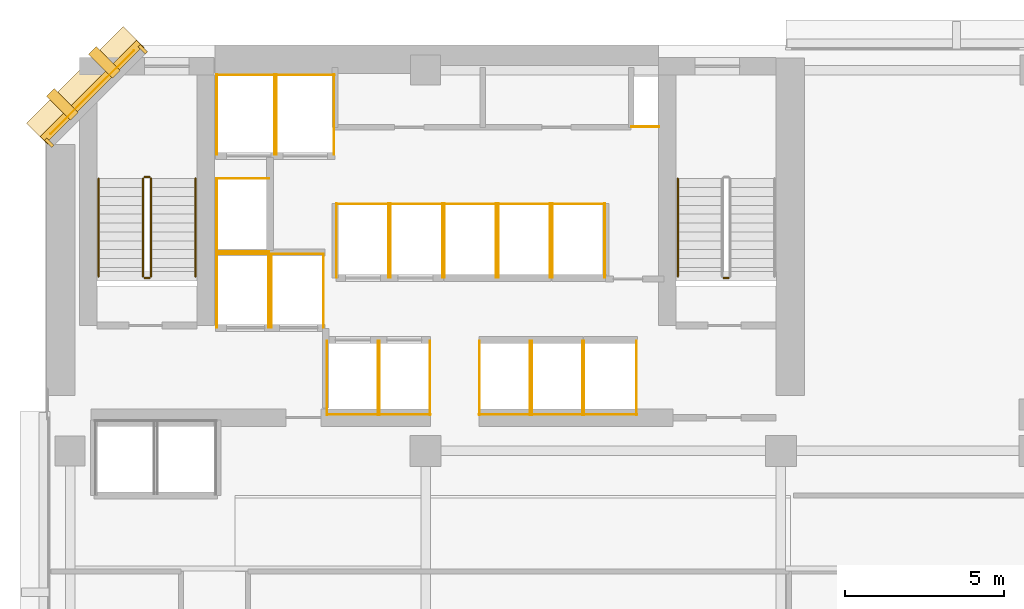
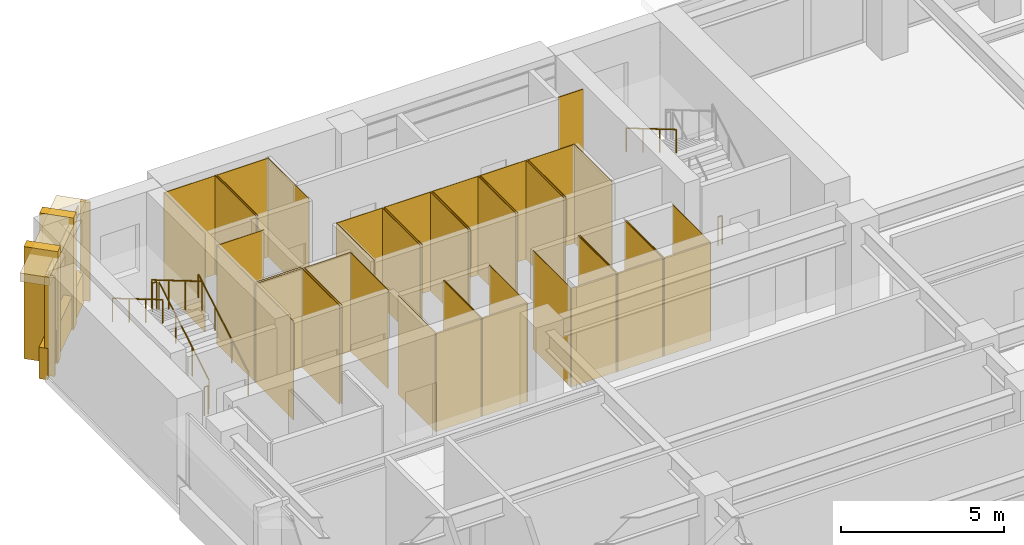
# One storey, part 11 of 13: 53 coverings, 8 railings.
"""IFC4 building model written with IfcOpenShell, lengths in metres."""

from ifc_helpers import new_model, si_unit, direction, frame, origin, origin_2d, place, context, subcontext, project, spatial, polyline, rectangle, circle, outline, extrude, material, layer, layer_set, type_object, element, save


model = new_model("IFC4")

# Units and contexts
model_context = context("Model", 3, precision=1e-05, world=origin(), true_north=direction((0.0, 1.0)))
body_context = subcontext(model_context, "Body", "Model", "MODEL_VIEW")
ifc_project = project(units=[si_unit("LENGTHUNIT", "METRE"), si_unit("AREAUNIT", "SQUARE_METRE"), si_unit("VOLUMEUNIT", "CUBIC_METRE"), si_unit("PLANEANGLEUNIT", "RADIAN"), si_unit("MASSUNIT", "GRAM", prefix="KILO")], contexts=[model_context])

# Site, building, storey
site_placement = place(None, origin())
site = spatial("IfcSite", under=ifc_project, at=site_placement, CompositionType="ELEMENT")
building_placement = place(site_placement, origin())
building = spatial("IfcBuilding", under=site, at=building_placement, Name="Kefirva Bronze Tower", CompositionType="ELEMENT")
storey_placement = place(building_placement, frame((0.0, 0.0, 77.8798828125)))
storey = spatial("IfcBuildingStorey", under=building, at=storey_placement, Name="L18", CompositionType="ELEMENT", Elevation=77.8798828125)

# Coverings
ifc_material_1 = material(Name="Bronze anodised aluminium", Category="aluminium")
ifc_layer_1 = layer(ifc_material_1, 0.02001953125, Name="Bronze anodised aluminium")
ifc_layer_set_1 = layer_set([ifc_layer_1], Name="Bronze anodised aluminium")
covering_type_1 = type_object("IfcCoveringType", Name="Anodised Bronze Spandrel Cladding 20mm", PredefinedType="CLADDING", material=ifc_layer_set_1)
covering_1_placement = place(storey_placement, frame((1.492919921875, 44.507080078125, 3.290283203125), z_axis=(0.0, 0.0, 1.0), x_axis=(-0.707106781187, -0.707106781187, 0.0)))
element("IfcCovering", 1, at=covering_1_placement, inside=storey, type_object=covering_type_1, Name="L18 Bronze Spandrel Cladding 9", PredefinedType="CLADDING", context=body_context, shape_type="SweptSolid", body=[
    extrude(rectangle(XDim=3.719482421875, YDim=0.02001953125, at=origin_2d()), origin(), (0.0, 0.0, 1.0), 0.39990234375),
])
for number, where, z_axis, x_axis, name in (
    (2, (3.08837890625, 45.862060546875, 0.000244140625), (0.0, 0.0, 1.0), (-0.707106781187, -0.707106781187, 0.0), "L18 Facade Joint Closure Panel 9S"),
    (3, (0.137939453125, 42.91162109375, 0.000244140625), (0.0, 0.0, 1.0), (-0.707106781187, -0.707106781187, 0.0), "L18 Facade Joint Closure Panel 9E"),
):
    element("IfcCovering", number, at=place(storey_placement, frame(where, z_axis=z_axis, x_axis=x_axis)), inside=storey, type_object=covering_type_1, Name=name, PredefinedType="CLADDING", context=body_context, shape_type="SweptSolid", body=[
        extrude(rectangle(XDim=0.10009765625, YDim=0.320068359375, at=origin_2d()), origin(), (0.0, 0.0, 1.0), 3.7099609375),
    ])
covering_2_placement = place(storey_placement, frame((1.4716796875, 44.5283203125, -0.15966796875), z_axis=(0.0, 0.0, 1.0), x_axis=(-0.707106781187, -0.707106781187, 0.0)))
element("IfcCovering", 4, at=covering_2_placement, inside=storey, type_object=covering_type_1, Name="L18 Streamline Horizontal Spandrel Band 13", PredefinedType="CLADDING", context=body_context, shape_type="SweptSolid", body=[
    extrude(rectangle(XDim=4.28271484375, YDim=0.280029296875, at=origin_2d()), origin(), (0.0, 0.0, 1.0), 1.179931640625),
])
covering_3_placement = place(storey_placement, origin())
element("IfcCovering", 5, at=covering_3_placement, inside=storey, type_object=covering_type_1, Name="L18 Lift FF1 Hoistway Liner N", PredefinedType="CLADDING", context=body_context, shape_type="SweptSolid", body=[
    extrude(outline(polyline([(5.39990234375, 39.389892578125), (7.080078125, 39.389892578125), (7.080078125, 39.409912109375), (5.39990234375, 39.409912109375), (5.39990234375, 39.389892578125)])), origin(), (0.0, 0.0, 1.0), 3.710205078125),
])
covering_4_placement = place(storey_placement, origin())
element("IfcCovering", 6, at=covering_4_placement, inside=storey, type_object=covering_type_1, Name="L18 Lift FF1 Hoistway Liner W", PredefinedType="CLADDING", context=body_context, shape_type="SweptSolid", body=[
    extrude(outline(polyline([(5.409912109375, 37.080078125), (5.429931640625, 37.080078125), (5.429931640625, 39.419921875), (5.409912109375, 39.419921875), (5.409912109375, 37.080078125)])), origin(), (0.0, 0.0, 1.0), 3.710205078125),
])
covering_5_placement = place(storey_placement, origin())
element("IfcCovering", 7, at=covering_5_placement, inside=storey, type_object=covering_type_1, Name="L18 Lift FF1 Hoistway Liner E", PredefinedType="CLADDING", context=body_context, shape_type="SweptSolid", body=[
    extrude(outline(polyline([(7.050048828125, 37.080078125), (7.070068359375, 37.080078125), (7.070068359375, 39.419921875), (7.050048828125, 39.419921875), (7.050048828125, 37.080078125)])), origin(), (0.0, 0.0, 1.0), 3.710205078125),
])
covering_6_placement = place(storey_placement, origin())
element("IfcCovering", 8, at=covering_6_placement, inside=storey, type_object=covering_type_1, Name="L18 Lift FF2 Hoistway Liner N", PredefinedType="CLADDING", context=body_context, shape_type="SweptSolid", body=[
    extrude(outline(polyline([(7.1201171875, 39.389892578125), (8.800048828125, 39.389892578125), (8.800048828125, 39.409912109375), (7.1201171875, 39.409912109375), (7.1201171875, 39.389892578125)])), origin(), (0.0, 0.0, 1.0), 3.710205078125),
])
covering_7_placement = place(storey_placement, origin())
element("IfcCovering", 9, at=covering_7_placement, inside=storey, type_object=covering_type_1, Name="L18 Lift FF2 Hoistway Liner W", PredefinedType="CLADDING", context=body_context, shape_type="SweptSolid", body=[
    extrude(outline(polyline([(7.1298828125, 37.080078125), (7.14990234375, 37.080078125), (7.14990234375, 39.419921875), (7.1298828125, 39.419921875), (7.1298828125, 37.080078125)])), origin(), (0.0, 0.0, 1.0), 3.710205078125),
])
covering_8_placement = place(storey_placement, origin())
element("IfcCovering", 10, at=covering_8_placement, inside=storey, type_object=covering_type_1, Name="L18 Lift FF2 Hoistway Liner E", PredefinedType="CLADDING", context=body_context, shape_type="SweptSolid", body=[
    extrude(outline(polyline([(8.77001953125, 37.080078125), (8.7900390625, 37.080078125), (8.7900390625, 39.419921875), (8.77001953125, 39.419921875), (8.77001953125, 37.080078125)])), origin(), (0.0, 0.0, 1.0), 3.710205078125),
])
covering_9_placement = place(storey_placement, origin())
element("IfcCovering", 11, at=covering_9_placement, inside=storey, type_object=covering_type_1, Name="L18 Lift SV1 Hoistway Liner N", PredefinedType="CLADDING", context=body_context, shape_type="SweptSolid", body=[
    extrude(outline(polyline([(5.39990234375, 45.0400390625), (7.260009765625, 45.0400390625), (7.260009765625, 45.06005859375), (5.39990234375, 45.06005859375), (5.39990234375, 45.0400390625)])), origin(), (0.0, 0.0, 1.0), 3.710205078125),
])
covering_10_placement = place(storey_placement, origin())
element("IfcCovering", 12, at=covering_10_placement, inside=storey, type_object=covering_type_1, Name="L18 Lift SV1 Hoistway Liner W", PredefinedType="CLADDING", context=body_context, shape_type="SweptSolid", body=[
    extrude(outline(polyline([(5.409912109375, 42.530029296875), (5.429931640625, 42.530029296875), (5.429931640625, 45.070068359375), (5.409912109375, 45.070068359375), (5.409912109375, 42.530029296875)])), origin(), (0.0, 0.0, 1.0), 3.710205078125),
])
covering_11_placement = place(storey_placement, origin())
element("IfcCovering", 13, at=covering_11_placement, inside=storey, type_object=covering_type_1, Name="L18 Lift SV1 Hoistway Liner E", PredefinedType="CLADDING", context=body_context, shape_type="SweptSolid", body=[
    extrude(outline(polyline([(7.22998046875, 42.530029296875), (7.25, 42.530029296875), (7.25, 45.070068359375), (7.22998046875, 45.070068359375), (7.22998046875, 42.530029296875)])), origin(), (0.0, 0.0, 1.0), 3.710205078125),
])
covering_12_placement = place(storey_placement, origin())
element("IfcCovering", 14, at=covering_12_placement, inside=storey, type_object=covering_type_1, Name="L18 Lift SV2 Hoistway Liner N", PredefinedType="CLADDING", context=body_context, shape_type="SweptSolid", body=[
    extrude(outline(polyline([(7.280029296875, 45.0400390625), (9.139892578125, 45.0400390625), (9.139892578125, 45.06005859375), (7.280029296875, 45.06005859375), (7.280029296875, 45.0400390625)])), origin(), (0.0, 0.0, 1.0), 3.710205078125),
])
covering_13_placement = place(storey_placement, origin())
element("IfcCovering", 15, at=covering_13_placement, inside=storey, type_object=covering_type_1, Name="L18 Lift SV2 Hoistway Liner W", PredefinedType="CLADDING", context=body_context, shape_type="SweptSolid", body=[
    extrude(outline(polyline([(7.2900390625, 42.530029296875), (7.31005859375, 42.530029296875), (7.31005859375, 45.070068359375), (7.2900390625, 45.070068359375), (7.2900390625, 42.530029296875)])), origin(), (0.0, 0.0, 1.0), 3.710205078125),
])
covering_14_placement = place(storey_placement, origin())
element("IfcCovering", 16, at=covering_14_placement, inside=storey, type_object=covering_type_1, Name="L18 Lift SV2 Hoistway Liner E", PredefinedType="CLADDING", context=body_context, shape_type="SweptSolid", body=[
    extrude(outline(polyline([(9.110107421875, 42.530029296875), (9.1298828125, 42.530029296875), (9.1298828125, 45.070068359375), (9.110107421875, 45.070068359375), (9.110107421875, 42.530029296875)])), origin(), (0.0, 0.0, 1.0), 3.710205078125),
])
covering_15_placement = place(storey_placement, origin())
element("IfcCovering", 17, at=covering_15_placement, inside=storey, type_object=covering_type_1, Name="L18 Lift LP1 Hoistway Liner S", PredefinedType="CLADDING", context=body_context, shape_type="SweptSolid", body=[
    extrude(outline(polyline([(8.8798828125, 34.340087890625), (10.52001953125, 34.340087890625), (10.52001953125, 34.360107421875), (8.8798828125, 34.360107421875), (8.8798828125, 34.340087890625)])), origin(), (0.0, 0.0, 1.0), 3.710205078125),
])
covering_16_placement = place(storey_placement, origin())
element("IfcCovering", 18, at=covering_16_placement, inside=storey, type_object=covering_type_1, Name="L18 Lift LP1 Hoistway Liner W", PredefinedType="CLADDING", context=body_context, shape_type="SweptSolid", body=[
    extrude(outline(polyline([(8.889892578125, 34.330078125), (8.909912109375, 34.330078125), (8.909912109375, 36.669921875), (8.889892578125, 36.669921875), (8.889892578125, 34.330078125)])), origin(), (0.0, 0.0, 1.0), 3.710205078125),
])
covering_17_placement = place(storey_placement, origin())
element("IfcCovering", 19, at=covering_17_placement, inside=storey, type_object=covering_type_1, Name="L18 Lift LP1 Hoistway Liner E", PredefinedType="CLADDING", context=body_context, shape_type="SweptSolid", body=[
    extrude(outline(polyline([(10.489990234375, 34.330078125), (10.510009765625, 34.330078125), (10.510009765625, 36.669921875), (10.489990234375, 36.669921875), (10.489990234375, 34.330078125)])), origin(), (0.0, 0.0, 1.0), 3.710205078125),
])
covering_18_placement = place(storey_placement, origin())
element("IfcCovering", 20, at=covering_18_placement, inside=storey, type_object=covering_type_1, Name="L18 Lift LP2 Hoistway Liner S", PredefinedType="CLADDING", context=body_context, shape_type="SweptSolid", body=[
    extrude(outline(polyline([(10.52001953125, 34.340087890625), (12.159912109375, 34.340087890625), (12.159912109375, 34.360107421875), (10.52001953125, 34.360107421875), (10.52001953125, 34.340087890625)])), origin(), (0.0, 0.0, 1.0), 3.710205078125),
])
covering_19_placement = place(storey_placement, origin())
element("IfcCovering", 21, at=covering_19_placement, inside=storey, type_object=covering_type_1, Name="L18 Lift LP2 Hoistway Liner W", PredefinedType="CLADDING", context=body_context, shape_type="SweptSolid", body=[
    extrude(outline(polyline([(10.530029296875, 34.330078125), (10.550048828125, 34.330078125), (10.550048828125, 36.669921875), (10.530029296875, 36.669921875), (10.530029296875, 34.330078125)])), origin(), (0.0, 0.0, 1.0), 3.710205078125),
])
covering_20_placement = place(storey_placement, origin())
element("IfcCovering", 22, at=covering_20_placement, inside=storey, type_object=covering_type_1, Name="L18 Lift LP2 Hoistway Liner E", PredefinedType="CLADDING", context=body_context, shape_type="SweptSolid", body=[
    extrude(outline(polyline([(12.1298828125, 34.330078125), (12.14990234375, 34.330078125), (12.14990234375, 36.669921875), (12.1298828125, 36.669921875), (12.1298828125, 34.330078125)])), origin(), (0.0, 0.0, 1.0), 3.710205078125),
])
covering_21_placement = place(storey_placement, origin())
element("IfcCovering", 23, at=covering_21_placement, inside=storey, type_object=covering_type_1, Name="L18 Lift LP3 Hoistway Liner N", PredefinedType="CLADDING", context=body_context, shape_type="SweptSolid", body=[
    extrude(outline(polyline([(9.179931640625, 40.969970703125), (10.85009765625, 40.969970703125), (10.85009765625, 40.989990234375), (9.179931640625, 40.989990234375), (9.179931640625, 40.969970703125)])), origin(), (0.0, 0.0, 1.0), 3.710205078125),
])
covering_22_placement = place(storey_placement, origin())
element("IfcCovering", 24, at=covering_22_placement, inside=storey, type_object=covering_type_1, Name="L18 Lift LP3 Hoistway Liner W", PredefinedType="CLADDING", context=body_context, shape_type="SweptSolid", body=[
    extrude(outline(polyline([(9.18994140625, 38.659912109375), (9.2099609375, 38.659912109375), (9.2099609375, 41.0), (9.18994140625, 41.0), (9.18994140625, 38.659912109375)])), origin(), (0.0, 0.0, 1.0), 3.710205078125),
])
covering_23_placement = place(storey_placement, origin())
element("IfcCovering", 25, at=covering_23_placement, inside=storey, type_object=covering_type_1, Name="L18 Lift LP3 Hoistway Liner E", PredefinedType="CLADDING", context=body_context, shape_type="SweptSolid", body=[
    extrude(outline(polyline([(10.820068359375, 38.659912109375), (10.840087890625, 38.659912109375), (10.840087890625, 41.0), (10.820068359375, 41.0), (10.820068359375, 38.659912109375)])), origin(), (0.0, 0.0, 1.0), 3.710205078125),
])
covering_24_placement = place(storey_placement, origin())
element("IfcCovering", 26, at=covering_24_placement, inside=storey, type_object=covering_type_1, Name="L18 Lift LP4 Hoistway Liner N", PredefinedType="CLADDING", context=body_context, shape_type="SweptSolid", body=[
    extrude(outline(polyline([(10.8798828125, 40.969970703125), (12.550048828125, 40.969970703125), (12.550048828125, 40.989990234375), (10.8798828125, 40.989990234375), (10.8798828125, 40.969970703125)])), origin(), (0.0, 0.0, 1.0), 3.710205078125),
])
covering_25_placement = place(storey_placement, origin())
element("IfcCovering", 27, at=covering_25_placement, inside=storey, type_object=covering_type_1, Name="L18 Lift LP4 Hoistway Liner W", PredefinedType="CLADDING", context=body_context, shape_type="SweptSolid", body=[
    extrude(outline(polyline([(10.889892578125, 38.659912109375), (10.909912109375, 38.659912109375), (10.909912109375, 41.0), (10.889892578125, 41.0), (10.889892578125, 38.659912109375)])), origin(), (0.0, 0.0, 1.0), 3.710205078125),
])
covering_26_placement = place(storey_placement, origin())
element("IfcCovering", 28, at=covering_26_placement, inside=storey, type_object=covering_type_1, Name="L18 Lift LP4 Hoistway Liner E", PredefinedType="CLADDING", context=body_context, shape_type="SweptSolid", body=[
    extrude(outline(polyline([(12.52001953125, 38.659912109375), (12.5400390625, 38.659912109375), (12.5400390625, 41.0), (12.52001953125, 41.0), (12.52001953125, 38.659912109375)])), origin(), (0.0, 0.0, 1.0), 3.710205078125),
])
covering_27_placement = place(storey_placement, origin())
element("IfcCovering", 29, at=covering_27_placement, inside=storey, type_object=covering_type_1, Name="L18 Lift MP1 Hoistway Liner S", PredefinedType="CLADDING", context=body_context, shape_type="SweptSolid", body=[
    extrude(outline(polyline([(13.679931640625, 34.340087890625), (15.320068359375, 34.340087890625), (15.320068359375, 34.360107421875), (13.679931640625, 34.360107421875), (13.679931640625, 34.340087890625)])), origin(), (0.0, 0.0, 1.0), 3.710205078125),
])
covering_28_placement = place(storey_placement, origin())
element("IfcCovering", 30, at=covering_28_placement, inside=storey, type_object=covering_type_1, Name="L18 Lift MP1 Hoistway Liner W", PredefinedType="CLADDING", context=body_context, shape_type="SweptSolid", body=[
    extrude(outline(polyline([(13.68994140625, 34.330078125), (13.7099609375, 34.330078125), (13.7099609375, 36.669921875), (13.68994140625, 36.669921875), (13.68994140625, 34.330078125)])), origin(), (0.0, 0.0, 1.0), 3.710205078125),
])
covering_29_placement = place(storey_placement, origin())
element("IfcCovering", 31, at=covering_29_placement, inside=storey, type_object=covering_type_1, Name="L18 Lift MP1 Hoistway Liner E", PredefinedType="CLADDING", context=body_context, shape_type="SweptSolid", body=[
    extrude(outline(polyline([(15.2900390625, 34.330078125), (15.31005859375, 34.330078125), (15.31005859375, 36.669921875), (15.2900390625, 36.669921875), (15.2900390625, 34.330078125)])), origin(), (0.0, 0.0, 1.0), 3.710205078125),
])
covering_30_placement = place(storey_placement, origin())
element("IfcCovering", 32, at=covering_30_placement, inside=storey, type_object=covering_type_1, Name="L18 Lift MP2 Hoistway Liner S", PredefinedType="CLADDING", context=body_context, shape_type="SweptSolid", body=[
    extrude(outline(polyline([(15.330078125, 34.340087890625), (16.969970703125, 34.340087890625), (16.969970703125, 34.360107421875), (15.330078125, 34.360107421875), (15.330078125, 34.340087890625)])), origin(), (0.0, 0.0, 1.0), 3.710205078125),
])
covering_31_placement = place(storey_placement, origin())
element("IfcCovering", 33, at=covering_31_placement, inside=storey, type_object=covering_type_1, Name="L18 Lift MP2 Hoistway Liner W", PredefinedType="CLADDING", context=body_context, shape_type="SweptSolid", body=[
    extrude(outline(polyline([(15.340087890625, 34.330078125), (15.360107421875, 34.330078125), (15.360107421875, 36.669921875), (15.340087890625, 36.669921875), (15.340087890625, 34.330078125)])), origin(), (0.0, 0.0, 1.0), 3.710205078125),
])
covering_32_placement = place(storey_placement, origin())
element("IfcCovering", 34, at=covering_32_placement, inside=storey, type_object=covering_type_1, Name="L18 Lift MP2 Hoistway Liner E", PredefinedType="CLADDING", context=body_context, shape_type="SweptSolid", body=[
    extrude(outline(polyline([(16.93994140625, 34.330078125), (16.9599609375, 34.330078125), (16.9599609375, 36.669921875), (16.93994140625, 36.669921875), (16.93994140625, 34.330078125)])), origin(), (0.0, 0.0, 1.0), 3.710205078125),
])
covering_33_placement = place(storey_placement, origin())
element("IfcCovering", 35, at=covering_33_placement, inside=storey, type_object=covering_type_1, Name="L18 Lift MP3 Hoistway Liner N", PredefinedType="CLADDING", context=body_context, shape_type="SweptSolid", body=[
    extrude(outline(polyline([(12.580078125, 40.969970703125), (14.25, 40.969970703125), (14.25, 40.989990234375), (12.580078125, 40.989990234375), (12.580078125, 40.969970703125)])), origin(), (0.0, 0.0, 1.0), 3.710205078125),
])
covering_34_placement = place(storey_placement, origin())
element("IfcCovering", 36, at=covering_34_placement, inside=storey, type_object=covering_type_1, Name="L18 Lift MP3 Hoistway Liner W", PredefinedType="CLADDING", context=body_context, shape_type="SweptSolid", body=[
    extrude(outline(polyline([(12.590087890625, 38.659912109375), (12.610107421875, 38.659912109375), (12.610107421875, 41.0), (12.590087890625, 41.0), (12.590087890625, 38.659912109375)])), origin(), (0.0, 0.0, 1.0), 3.710205078125),
])
covering_35_placement = place(storey_placement, origin())
element("IfcCovering", 37, at=covering_35_placement, inside=storey, type_object=covering_type_1, Name="L18 Lift MP3 Hoistway Liner E", PredefinedType="CLADDING", context=body_context, shape_type="SweptSolid", body=[
    extrude(outline(polyline([(14.219970703125, 38.659912109375), (14.239990234375, 38.659912109375), (14.239990234375, 41.0), (14.219970703125, 41.0), (14.219970703125, 38.659912109375)])), origin(), (0.0, 0.0, 1.0), 3.710205078125),
])
covering_36_placement = place(storey_placement, origin())
element("IfcCovering", 38, at=covering_36_placement, inside=storey, type_object=covering_type_1, Name="L18 Lift MP4 Hoistway Liner N", PredefinedType="CLADDING", context=body_context, shape_type="SweptSolid", body=[
    extrude(outline(polyline([(14.280029296875, 40.969970703125), (15.949951171875, 40.969970703125), (15.949951171875, 40.989990234375), (14.280029296875, 40.989990234375), (14.280029296875, 40.969970703125)])), origin(), (0.0, 0.0, 1.0), 3.710205078125),
])
covering_37_placement = place(storey_placement, origin())
element("IfcCovering", 39, at=covering_37_placement, inside=storey, type_object=covering_type_1, Name="L18 Lift MP4 Hoistway Liner W", PredefinedType="CLADDING", context=body_context, shape_type="SweptSolid", body=[
    extrude(outline(polyline([(14.2900390625, 38.659912109375), (14.31005859375, 38.659912109375), (14.31005859375, 41.0), (14.2900390625, 41.0), (14.2900390625, 38.659912109375)])), origin(), (0.0, 0.0, 1.0), 3.710205078125),
])
covering_38_placement = place(storey_placement, origin())
element("IfcCovering", 40, at=covering_38_placement, inside=storey, type_object=covering_type_1, Name="L18 Lift MP4 Hoistway Liner E", PredefinedType="CLADDING", context=body_context, shape_type="SweptSolid", body=[
    extrude(outline(polyline([(15.919921875, 38.659912109375), (15.93994140625, 38.659912109375), (15.93994140625, 41.0), (15.919921875, 41.0), (15.919921875, 38.659912109375)])), origin(), (0.0, 0.0, 1.0), 3.710205078125),
])
covering_39_placement = place(storey_placement, origin())
element("IfcCovering", 41, at=covering_39_placement, inside=storey, type_object=covering_type_1, Name="L18 Lift HP1 Hoistway Liner S", PredefinedType="CLADDING", context=body_context, shape_type="SweptSolid", body=[
    extrude(outline(polyline([(16.97998046875, 34.340087890625), (18.669921875, 34.340087890625), (18.669921875, 34.360107421875), (16.97998046875, 34.360107421875), (16.97998046875, 34.340087890625)])), origin(), (0.0, 0.0, 1.0), 3.710205078125),
])
covering_40_placement = place(storey_placement, origin())
element("IfcCovering", 42, at=covering_40_placement, inside=storey, type_object=covering_type_1, Name="L18 Lift HP1 Hoistway Liner W", PredefinedType="CLADDING", context=body_context, shape_type="SweptSolid", body=[
    extrude(outline(polyline([(16.989990234375, 34.330078125), (17.010009765625, 34.330078125), (17.010009765625, 36.669921875), (16.989990234375, 36.669921875), (16.989990234375, 34.330078125)])), origin(), (0.0, 0.0, 1.0), 3.710205078125),
])
covering_41_placement = place(storey_placement, origin())
element("IfcCovering", 43, at=covering_41_placement, inside=storey, type_object=covering_type_1, Name="L18 Lift HP1 Hoistway Liner E", PredefinedType="CLADDING", context=body_context, shape_type="SweptSolid", body=[
    extrude(outline(polyline([(18.639892578125, 34.330078125), (18.659912109375, 34.330078125), (18.659912109375, 36.669921875), (18.639892578125, 36.669921875), (18.639892578125, 34.330078125)])), origin(), (0.0, 0.0, 1.0), 3.710205078125),
])
covering_42_placement = place(storey_placement, origin())
element("IfcCovering", 44, at=covering_42_placement, inside=storey, type_object=covering_type_1, Name="L18 Lift HP2 Hoistway Liner N", PredefinedType="CLADDING", context=body_context, shape_type="SweptSolid", body=[
    extrude(outline(polyline([(15.97998046875, 40.969970703125), (17.669921875, 40.969970703125), (17.669921875, 40.989990234375), (15.97998046875, 40.989990234375), (15.97998046875, 40.969970703125)])), origin(), (0.0, 0.0, 1.0), 3.710205078125),
])
covering_43_placement = place(storey_placement, origin())
element("IfcCovering", 45, at=covering_43_placement, inside=storey, type_object=covering_type_1, Name="L18 Lift HP2 Hoistway Liner W", PredefinedType="CLADDING", context=body_context, shape_type="SweptSolid", body=[
    extrude(outline(polyline([(15.989990234375, 38.659912109375), (16.010009765625, 38.659912109375), (16.010009765625, 41.0), (15.989990234375, 41.0), (15.989990234375, 38.659912109375)])), origin(), (0.0, 0.0, 1.0), 3.710205078125),
])
covering_44_placement = place(storey_placement, origin())
element("IfcCovering", 46, at=covering_44_placement, inside=storey, type_object=covering_type_1, Name="L18 Lift HP2 Hoistway Liner E", PredefinedType="CLADDING", context=body_context, shape_type="SweptSolid", body=[
    extrude(outline(polyline([(17.639892578125, 38.659912109375), (17.659912109375, 38.659912109375), (17.659912109375, 41.0), (17.639892578125, 41.0), (17.639892578125, 38.659912109375)])), origin(), (0.0, 0.0, 1.0), 3.710205078125),
])
covering_45_placement = place(storey_placement, origin())
element("IfcCovering", 47, at=covering_45_placement, inside=storey, type_object=covering_type_1, Name="L18 Lift HP3 Hoistway Liner N", PredefinedType="CLADDING", context=body_context, shape_type="SweptSolid", body=[
    extrude(outline(polyline([(5.39990234375, 41.77001953125), (7.080078125, 41.77001953125), (7.080078125, 41.7900390625), (5.39990234375, 41.7900390625), (5.39990234375, 41.77001953125)])), origin(), (0.0, 0.0, 1.0), 3.710205078125),
])
covering_46_placement = place(storey_placement, origin())
element("IfcCovering", 48, at=covering_46_placement, inside=storey, type_object=covering_type_1, Name="L18 Lift HP3 Hoistway Liner S", PredefinedType="CLADDING", context=body_context, shape_type="SweptSolid", body=[
    extrude(outline(polyline([(5.39990234375, 39.469970703125), (7.080078125, 39.469970703125), (7.080078125, 39.489990234375), (5.39990234375, 39.489990234375), (5.39990234375, 39.469970703125)])), origin(), (0.0, 0.0, 1.0), 3.710205078125),
])
covering_47_placement = place(storey_placement, origin())
element("IfcCovering", 49, at=covering_47_placement, inside=storey, type_object=covering_type_1, Name="L18 Lift HP3 Hoistway Liner W", PredefinedType="CLADDING", context=body_context, shape_type="SweptSolid", body=[
    extrude(outline(polyline([(5.409912109375, 39.4599609375), (5.429931640625, 39.4599609375), (5.429931640625, 41.800048828125), (5.409912109375, 41.800048828125), (5.409912109375, 39.4599609375)])), origin(), (0.0, 0.0, 1.0), 3.710205078125),
])
covering_48_placement = place(storey_placement, origin())
element("IfcCovering", 50, at=covering_48_placement, inside=storey, type_object=covering_type_1, Name="L18 Core MEP Riser Shaft Liner South", PredefinedType="CLADDING", context=body_context, shape_type="SweptSolid", body=[
    extrude(outline(polyline([(18.47998046875, 43.39990234375), (19.360107421875, 43.39990234375), (19.360107421875, 43.429931640625), (18.47998046875, 43.429931640625), (18.47998046875, 43.39990234375)])), origin(), (0.0, 0.0, 1.0), 3.710205078125),
])

# Railings
ifc_material_2 = material(Name="Stainless steel 316", Category="steel")
railing_type_1 = type_object("IfcRailingType", Name="Interior Stair Guardrail 1100mm", PredefinedType="GUARDRAIL", material=ifc_material_2)
railing_1_placement = place(storey_placement, frame((3.35009765625, 38.699951171875, 0.1650390625)))
element("IfcRailing", 51, at=railing_1_placement, inside=storey, type_object=railing_type_1, Name="L18 ST-1 stair guard 1", PredefinedType="GUARDRAIL", context=body_context, shape_type="SweptSolid", body=[
    extrude(circle(Radius=0.02392578125, at=origin_2d()), frame((0.0, 0.0, 1.076171875), z_axis=(0.0, 0.861521393093, 0.507721271215), x_axis=(-1.0, 0.0, 0.0)), (0.0, 0.0, 1.0), 3.5751953125),
    extrude(circle(Radius=0.02099609375, at=origin_2d()), origin(), (0.0, 0.0, 1.0), 1.052001953125),
    extrude(circle(Radius=0.02099609375, at=origin_2d()), frame((0.0, 1.026611328125, 0.60498046875)), (0.0, 0.0, 1.0), 1.052001953125),
    extrude(circle(Radius=0.02099609375, at=origin_2d()), frame((0.0, 2.053466796875, 1.210205078125)), (0.0, 0.0, 1.0), 1.052001953125),
    extrude(circle(Radius=0.02099609375, at=origin_2d()), frame((0.0, 3.080078125, 1.815185546875)), (0.0, 0.0, 1.0), 1.052001953125),
])
railing_2_placement = place(storey_placement, frame((3.300048828125, 41.830078125, 1.980224609375)))
element("IfcRailing", 52, at=railing_2_placement, inside=storey, type_object=railing_type_1, Name="L18 ST-1 stair guard 2", PredefinedType="GUARDRAIL", context=body_context, shape_type="SweptSolid", body=[
    extrude(circle(Radius=0.02392578125, at=origin_2d()), frame((0.0, 0.0, 1.076171875), z_axis=(-1.0, 0.0, 0.0), x_axis=(0.0, -1.0, 0.0)), (0.0, 0.0, 1.0), 0.150146484375),
    extrude(circle(Radius=0.02099609375, at=origin_2d()), origin(), (0.0, 0.0, 1.0), 1.052001953125),
    extrude(circle(Radius=0.02099609375, at=origin_2d()), frame((-0.150146484375, 0.0, 0.0)), (0.0, 0.0, 1.0), 1.052001953125),
])
railing_3_placement = place(storey_placement, frame((3.10009765625, 41.780029296875, 2.14501953125)))
element("IfcRailing", 53, at=railing_3_placement, inside=storey, type_object=railing_type_1, Name="L18 ST-1 stair guard 3", PredefinedType="GUARDRAIL", context=body_context, shape_type="SweptSolid", body=[
    extrude(circle(Radius=0.02392578125, at=origin_2d()), frame((0.0, 0.0, 1.076171875), z_axis=(0.0, -0.861521393093, 0.507721271215), x_axis=(1.0, 0.0, 0.0)), (0.0, 0.0, 1.0), 3.5751953125),
    extrude(circle(Radius=0.02099609375, at=origin_2d()), origin(), (0.0, 0.0, 1.0), 1.052001953125),
    extrude(circle(Radius=0.02099609375, at=origin_2d()), frame((0.0, -1.026611328125, 0.60498046875)), (0.0, 0.0, 1.0), 1.052001953125),
    extrude(circle(Radius=0.02099609375, at=origin_2d()), frame((0.0, -2.053466796875, 1.210205078125)), (0.0, 0.0, 1.0), 1.052001953125),
    extrude(circle(Radius=0.02099609375, at=origin_2d()), frame((0.0, -3.080078125, 1.815185546875)), (0.0, 0.0, 1.0), 1.052001953125),
])
for number, where, name in (
    (54, (3.300048828125, 38.64990234375, 0.0), "L18 ST-1 stair guard 4"),
    (55, (21.550048828125, 38.64990234375, 0.0), "L18 ST-2 stair guard 4"),
):
    element("IfcRailing", number, at=place(storey_placement, frame(where)), inside=storey, type_object=railing_type_1, Name=name, PredefinedType="GUARDRAIL", context=body_context, shape_type="SweptSolid", body=[
        extrude(circle(Radius=0.02392578125, at=origin_2d()), frame((0.0, 0.0, 1.076171875), z_axis=(-1.0, 0.0, 0.0), x_axis=(0.0, -1.0, 0.0)), (0.0, 0.0, 1.0), 0.150146484375),
        extrude(circle(Radius=0.02099609375, at=origin_2d()), origin(), (0.0, 0.0, 1.0), 1.052001953125),
        extrude(circle(Radius=0.02099609375, at=origin_2d()), frame((-0.150146484375, 0.0, 0.0)), (0.0, 0.0, 1.0), 1.052001953125),
    ])
railing_type_2 = type_object("IfcRailingType", Name="Stair Pitch Handrail 900mm", PredefinedType="HANDRAIL", material=ifc_material_2)
railing_4_placement = place(storey_placement, frame((4.75, 38.699951171875, 0.1650390625)))
element("IfcRailing", 56, at=railing_4_placement, inside=storey, type_object=railing_type_2, Name="L18 ST-1 stair handrail 1", PredefinedType="HANDRAIL", context=body_context, shape_type="SweptSolid", body=[
    extrude(circle(Radius=0.02392578125, at=origin_2d()), frame((0.0, 0.0, 0.8759765625), z_axis=(0.0, 0.861521393093, 0.507721271215), x_axis=(-1.0, 0.0, 0.0)), (0.0, 0.0, 1.0), 3.5751953125),
    extrude(circle(Radius=0.02099609375, at=origin_2d()), origin(), (0.0, 0.0, 1.0), 0.851806640625),
    extrude(circle(Radius=0.02099609375, at=origin_2d()), frame((0.0, 1.026611328125, 0.60498046875)), (0.0, 0.0, 1.0), 0.851806640625),
    extrude(circle(Radius=0.02099609375, at=origin_2d()), frame((0.0, 2.053466796875, 1.210205078125)), (0.0, 0.0, 1.0), 0.851806640625),
    extrude(circle(Radius=0.02099609375, at=origin_2d()), frame((0.0, 3.080078125, 1.815185546875)), (0.0, 0.0, 1.0), 0.851806640625),
])
for number, where, name in (
    (57, (1.699951171875, 41.780029296875, 2.14501953125), "L18 ST-1 stair handrail 2"),
    (58, (19.949951171875, 41.780029296875, 2.14501953125), "L18 ST-2 stair handrail 2"),
):
    element("IfcRailing", number, at=place(storey_placement, frame(where)), inside=storey, type_object=railing_type_2, Name=name, PredefinedType="HANDRAIL", context=body_context, shape_type="SweptSolid", body=[
        extrude(circle(Radius=0.02392578125, at=origin_2d()), frame((0.0, 0.0, 0.8759765625), z_axis=(0.0, -0.861521393093, 0.507721271215), x_axis=(1.0, 0.0, 0.0)), (0.0, 0.0, 1.0), 3.5751953125),
        extrude(circle(Radius=0.02099609375, at=origin_2d()), origin(), (0.0, 0.0, 1.0), 0.851806640625),
        extrude(circle(Radius=0.02099609375, at=origin_2d()), frame((0.0, -1.026611328125, 0.60498046875)), (0.0, 0.0, 1.0), 0.851806640625),
        extrude(circle(Radius=0.02099609375, at=origin_2d()), frame((0.0, -2.053466796875, 1.210205078125)), (0.0, 0.0, 1.0), 0.851806640625),
        extrude(circle(Radius=0.02099609375, at=origin_2d()), frame((0.0, -3.080078125, 1.815185546875)), (0.0, 0.0, 1.0), 0.851806640625),
    ])

# Coverings
ifc_layer_2 = layer(ifc_material_1, 0.179931640625, Name="Bronze anodised aluminium")
ifc_layer_set_2 = layer_set([ifc_layer_2], Name="Bronze anodised aluminium")
covering_type_2 = type_object("IfcCoveringType", Name="Streamline Bronze Sunshade Eyebrow Cladding 180mm", PredefinedType="CLADDING", material=ifc_layer_set_2)
covering_49_placement = place(storey_placement, frame((1.28076171875, 44.71923828125, 3.39013671875), z_axis=(0.0, 0.0, 1.0), x_axis=(-0.707106781187, -0.707106781187, 0.0)))
element("IfcCovering", 59, at=covering_49_placement, inside=storey, type_object=covering_type_2, Name="L18 Streamline Bronze Sunshade Eyebrow 13", PredefinedType="CLADDING", context=body_context, shape_type="SweptSolid", body=[
    extrude(rectangle(XDim=4.322509765625, YDim=0.93994140625, at=origin_2d()), origin(), (0.0, 0.0, 1.0), 0.320068359375),
])
ifc_layer_3 = layer(ifc_material_1, 0.260009765625, Name="Bronze anodised aluminium")
ifc_layer_set_3 = layer_set([ifc_layer_3], Name="Bronze anodised aluminium")
covering_type_3 = type_object("IfcCoveringType", Name="Unbroken Bronze Buttress Fin Cladding 260mm", PredefinedType="CLADDING", material=ifc_layer_set_3)
for number, where, z_axis, x_axis, name in (
    (60, (1.877197265625, 45.44287109375, -0.249755859375), (0.0, 0.0, 1.0), (-0.707106781187, -0.707106781187, 0.0), "L18 Chamfered Corner Buttress Fin Cladding 23"),
    (61, (0.55712890625, 44.122802734375, -0.249755859375), (0.0, 0.0, 1.0), (-0.707106781187, -0.707106781187, 0.0), "L18 Chamfered Corner Buttress Fin Cladding 24"),
):
    element("IfcCovering", number, at=place(storey_placement, frame(where, z_axis=z_axis, x_axis=x_axis)), inside=storey, type_object=covering_type_3, Name=name, PredefinedType="CLADDING", context=body_context, shape_type="SweptSolid", body=[
        extrude(rectangle(XDim=0.340087890625, YDim=1.080078125, at=origin_2d()), origin(), (0.0, 0.0, 1.0), 4.2099609375),
    ])

save(model, "model.ifc")
